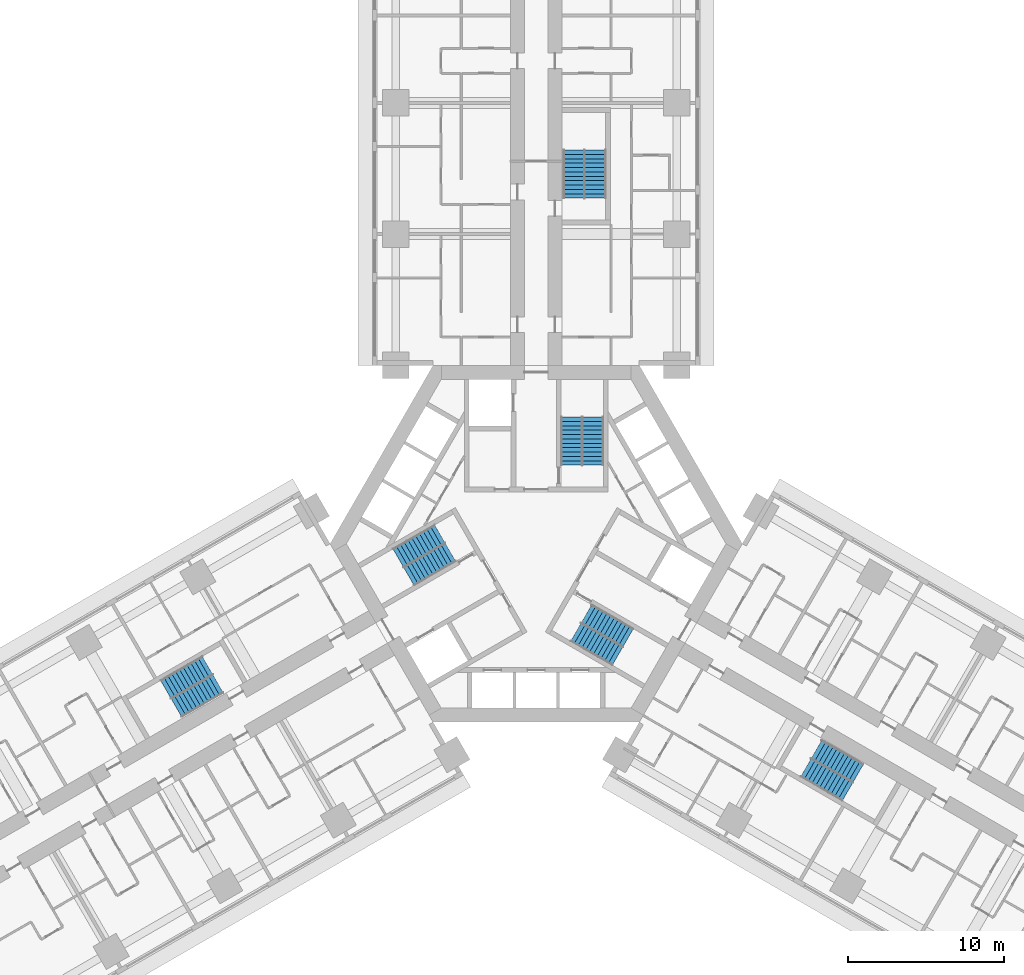
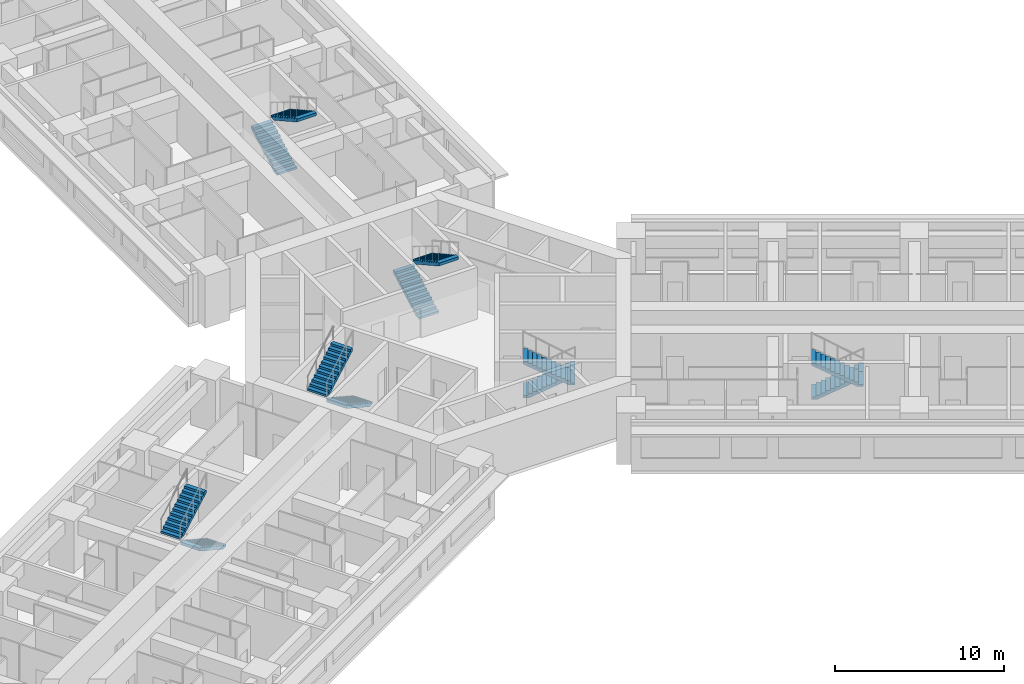
# One storey, part 15 of 16: 12 stair flights, 6 elements without a shape of their own.
"""IFC4 building model written with IfcOpenShell, lengths in metres."""

from ifc_helpers import new_model, si_unit, direction, frame, origin, place, context, subcontext, project, spatial, polyline, outline, extrude, material, type_object, element, aggregate, save


model = new_model("IFC4")

# Units and contexts
model_context = context("Model", 3, precision=1e-05, world=origin(), true_north=direction((0.0, 1.0)))
body_context = subcontext(model_context, "Body", "Model", "MODEL_VIEW")
ifc_project = project(units=[si_unit("LENGTHUNIT", "METRE"), si_unit("AREAUNIT", "SQUARE_METRE"), si_unit("VOLUMEUNIT", "CUBIC_METRE"), si_unit("PLANEANGLEUNIT", "RADIAN"), si_unit("MASSUNIT", "GRAM", prefix="KILO")], contexts=[model_context])

# Site, building, storey
site_placement = place(None, origin())
site = spatial("IfcSite", under=ifc_project, at=site_placement, CompositionType="ELEMENT")
building_placement = place(site_placement, origin())
building = spatial("IfcBuilding", under=site, at=building_placement, Name="Impinga Residences", CompositionType="ELEMENT")
storey_placement = place(building_placement, frame((0.0, 0.0, 44.75)))
storey = spatial("IfcBuildingStorey", under=building, at=storey_placement, Name="L10", CompositionType="ELEMENT", Elevation=44.75)

# Stair, stair flights
ifc_material = material(Name="Concrete C40/50", Category="concrete")
stair_type_1 = type_object("IfcStairType", Name="STR core stair 3750 storey, 24 risers", PredefinedType="HALF_TURN_STAIR", material=ifc_material)
stair_1_placement = place(storey_placement, origin())
stair_1 = element("IfcStair", 1, at=stair_1_placement, inside=storey, type_object=stair_type_1, Name="Stair ST1 L10", PredefinedType="HALF_TURN_STAIR")
stair_flight_type = type_object("IfcStairFlightType", Name="SF 12 risers of 156", PredefinedType="STRAIGHT", material=ifc_material)
stair_flight_1_placement = place(storey_placement, frame((2.27490234375, 5.030029296875, 0.0), z_axis=(0.0, 0.0, 1.0), x_axis=(0.0, 1.0, 0.0)))
stair_flight_1 = element("IfcStairFlight", 2, at=stair_flight_1_placement, type_object=stair_flight_type, Name="ST1 flight 1", NumberOfRisers=12, NumberOfTreads=11, PredefinedType="STRAIGHT", RiserHeight=0.15625, TreadLength=0.28, context=body_context, shape_type="SweptSolid", body=[
    extrude(outline(polyline([(0.0, 0.0), (0.0, 0.15625), (0.280029296875, 0.15625), (0.280029296875, 0.3125), (0.56005859375, 0.3125), (0.56005859375, 0.46875), (0.840087890625, 0.46875), (0.840087890625, 0.625), (1.1201171875, 0.625), (1.1201171875, 0.78125), (1.39990234375, 0.78125), (1.39990234375, 0.9375), (1.679931640625, 0.9375), (1.679931640625, 1.09375), (1.9599609375, 1.09375), (1.9599609375, 1.25), (2.239990234375, 1.25), (2.239990234375, 1.40625), (2.52001953125, 1.40625), (2.52001953125, 1.5625), (2.800048828125, 1.5625), (2.800048828125, 1.71875), (3.080078125, 1.71875), (3.080078125, 1.875), (3.080078125, 1.5126953125), (0.369140625, 0.0), (0.0, 0.0)])), frame((0.0, 0.675048828125, 0.0), z_axis=(0.0, -1.0, 0.0), x_axis=(1.0, 0.0, 0.0)), (0.0, 0.0, 1.0), 1.35009765625),
])
stair_flight_2_placement = place(storey_placement, frame((3.625, 8.110107421875, 1.875), z_axis=(0.0, 0.0, 1.0), x_axis=(0.0, -1.0, 0.0)))
stair_flight_2 = element("IfcStairFlight", 3, at=stair_flight_2_placement, type_object=stair_flight_type, Name="ST1 flight 2", NumberOfRisers=12, NumberOfTreads=11, PredefinedType="STRAIGHT", RiserHeight=0.15625, TreadLength=0.28, context=body_context, shape_type="SweptSolid", body=[
    extrude(outline(polyline([(0.0, 0.0), (0.0, 0.15625), (0.280029296875, 0.15625), (0.280029296875, 0.3125), (0.56005859375, 0.3125), (0.56005859375, 0.46875), (0.840087890625, 0.46875), (0.840087890625, 0.625), (1.1201171875, 0.625), (1.1201171875, 0.78125), (1.39990234375, 0.78125), (1.39990234375, 0.9375), (1.679931640625, 0.9375), (1.679931640625, 1.09375), (1.9599609375, 1.09375), (1.9599609375, 1.25), (2.239990234375, 1.25), (2.239990234375, 1.40625), (2.52001953125, 1.40625), (2.52001953125, 1.5625), (2.800048828125, 1.5625), (2.800048828125, 1.71875), (3.080078125, 1.71875), (3.080078125, 1.875), (3.080078125, 1.5126953125), (0.369140625, 0.0), (0.0, 0.0)])), frame((0.0, 0.675048828125, 0.0), z_axis=(0.0, -1.0, 0.0), x_axis=(1.0, 0.0, 0.0)), (0.0, 0.0, 1.0), 1.35009765625),
])
aggregate(stair_1, [stair_flight_1, stair_flight_2])

stair_2_placement = place(storey_placement, origin())
stair_2 = element("IfcStair", 4, at=stair_2_placement, inside=storey, type_object=stair_type_1, Name="Stair ST2 L10", PredefinedType="HALF_TURN_STAIR")
stair_flight_3_placement = place(storey_placement, frame((-5.49365234375, -0.544677734375, 0.0), z_axis=(0.0, 0.0, 1.0), x_axis=(-0.866025403784, -0.5, 0.0)))
stair_flight_3 = element("IfcStairFlight", 5, at=stair_flight_3_placement, type_object=stair_flight_type, Name="ST2 flight 1", NumberOfRisers=12, NumberOfTreads=11, PredefinedType="STRAIGHT", RiserHeight=0.15625, TreadLength=0.28, context=body_context, shape_type="SweptSolid", body=[
    extrude(outline(polyline([(0.0, 0.0), (0.0, 0.15625), (0.280029296875, 0.15625), (0.280029296875, 0.3125), (0.56005859375, 0.3125), (0.56005859375, 0.46875), (0.840087890625, 0.46875), (0.840087890625, 0.625), (1.1201171875, 0.625), (1.1201171875, 0.78125), (1.39990234375, 0.78125), (1.39990234375, 0.9375), (1.679931640625, 0.9375), (1.679931640625, 1.09375), (1.9599609375, 1.09375), (1.9599609375, 1.25), (2.239990234375, 1.25), (2.239990234375, 1.40625), (2.52001953125, 1.40625), (2.52001953125, 1.5625), (2.800048828125, 1.5625), (2.800048828125, 1.71875), (3.080078125, 1.71875), (3.080078125, 1.875), (3.080078125, 1.5126953125), (0.369140625, 0.0), (0.0, 0.0)])), frame((0.0, 0.675048828125, 0.0), z_axis=(0.0, -1.0, 0.0), x_axis=(1.0, 0.0, 0.0)), (0.0, 0.0, 1.0), 1.35009765625),
])
stair_flight_4_placement = place(storey_placement, frame((-8.8359375, -0.915771484375, 1.875), z_axis=(0.0, 0.0, 1.0), x_axis=(0.866025403784, 0.5, 0.0)))
stair_flight_4 = element("IfcStairFlight", 6, at=stair_flight_4_placement, type_object=stair_flight_type, Name="ST2 flight 2", NumberOfRisers=12, NumberOfTreads=11, PredefinedType="STRAIGHT", RiserHeight=0.15625, TreadLength=0.28, context=body_context, shape_type="SweptSolid", body=[
    extrude(outline(polyline([(0.0, 0.0), (0.0, 0.15625), (0.280029296875, 0.15625), (0.280029296875, 0.3125), (0.56005859375, 0.3125), (0.56005859375, 0.46875), (0.840087890625, 0.46875), (0.840087890625, 0.625), (1.1201171875, 0.625), (1.1201171875, 0.78125), (1.39990234375, 0.78125), (1.39990234375, 0.9375), (1.679931640625, 0.9375), (1.679931640625, 1.09375), (1.9599609375, 1.09375), (1.9599609375, 1.25), (2.239990234375, 1.25), (2.239990234375, 1.40625), (2.52001953125, 1.40625), (2.52001953125, 1.5625), (2.800048828125, 1.5625), (2.800048828125, 1.71875), (3.080078125, 1.71875), (3.080078125, 1.875), (3.080078125, 1.5126953125), (0.369140625, 0.0), (0.0, 0.0)])), frame((0.0, 0.675048828125, 0.0), z_axis=(0.0, -1.0, 0.0), x_axis=(1.0, 0.0, 0.0)), (0.0, 0.0, 1.0), 1.35009765625),
])
aggregate(stair_2, [stair_flight_3, stair_flight_4])

stair_3_placement = place(storey_placement, origin())
stair_3 = element("IfcStair", 7, at=stair_3_placement, inside=storey, type_object=stair_type_1, Name="Stair ST3 L10", PredefinedType="HALF_TURN_STAIR")
stair_flight_5_placement = place(storey_placement, frame((3.218505859375, -4.485107421875, 0.0), z_axis=(0.0, 0.0, 1.0), x_axis=(0.866025403784, -0.5, 0.0)))
stair_flight_5 = element("IfcStairFlight", 8, at=stair_flight_5_placement, type_object=stair_flight_type, Name="ST3 flight 1", NumberOfRisers=12, NumberOfTreads=11, PredefinedType="STRAIGHT", RiserHeight=0.15625, TreadLength=0.28, context=body_context, shape_type="SweptSolid", body=[
    extrude(outline(polyline([(0.0, 0.0), (0.0, 0.15625), (0.280029296875, 0.15625), (0.280029296875, 0.3125), (0.56005859375, 0.3125), (0.56005859375, 0.46875), (0.840087890625, 0.46875), (0.840087890625, 0.625), (1.1201171875, 0.625), (1.1201171875, 0.78125), (1.39990234375, 0.78125), (1.39990234375, 0.9375), (1.679931640625, 0.9375), (1.679931640625, 1.09375), (1.9599609375, 1.09375), (1.9599609375, 1.25), (2.239990234375, 1.25), (2.239990234375, 1.40625), (2.52001953125, 1.40625), (2.52001953125, 1.5625), (2.800048828125, 1.5625), (2.800048828125, 1.71875), (3.080078125, 1.71875), (3.080078125, 1.875), (3.080078125, 1.5126953125), (0.369140625, 0.0), (0.0, 0.0)])), frame((0.0, 0.675048828125, 0.0), z_axis=(0.0, -1.0, 0.0), x_axis=(1.0, 0.0, 0.0)), (0.0, 0.0, 1.0), 1.35009765625),
])
stair_flight_6_placement = place(storey_placement, frame((5.2109375, -7.1943359375, 1.875), z_axis=(0.0, 0.0, 1.0), x_axis=(-0.866025403784, 0.5, 0.0)))
stair_flight_6 = element("IfcStairFlight", 9, at=stair_flight_6_placement, type_object=stair_flight_type, Name="ST3 flight 2", NumberOfRisers=12, NumberOfTreads=11, PredefinedType="STRAIGHT", RiserHeight=0.15625, TreadLength=0.28, context=body_context, shape_type="SweptSolid", body=[
    extrude(outline(polyline([(0.0, 0.0), (0.0, 0.15625), (0.280029296875, 0.15625), (0.280029296875, 0.3125), (0.56005859375, 0.3125), (0.56005859375, 0.46875), (0.840087890625, 0.46875), (0.840087890625, 0.625), (1.1201171875, 0.625), (1.1201171875, 0.78125), (1.39990234375, 0.78125), (1.39990234375, 0.9375), (1.679931640625, 0.9375), (1.679931640625, 1.09375), (1.9599609375, 1.09375), (1.9599609375, 1.25), (2.239990234375, 1.25), (2.239990234375, 1.40625), (2.52001953125, 1.40625), (2.52001953125, 1.5625), (2.800048828125, 1.5625), (2.800048828125, 1.71875), (3.080078125, 1.71875), (3.080078125, 1.875), (3.080078125, 1.5126953125), (0.369140625, 0.0), (0.0, 0.0)])), frame((0.0, 0.675048828125, 0.0), z_axis=(0.0, -1.0, 0.0), x_axis=(1.0, 0.0, 0.0)), (0.0, 0.0, 1.0), 1.35009765625),
])
aggregate(stair_3, [stair_flight_5, stair_flight_6])

stair_type_2 = type_object("IfcStairType", Name="STR wing stair 3750 storey, 24 risers", PredefinedType="HALF_TURN_STAIR", material=ifc_material)
stair_4_placement = place(storey_placement, origin())
stair_4 = element("IfcStair", 10, at=stair_4_placement, inside=storey, type_object=stair_type_2, Name="Stair WS1 L10", PredefinedType="HALF_TURN_STAIR")
stair_flight_7_placement = place(storey_placement, frame((2.425048828125, 22.131591796875, 0.0), z_axis=(0.0, 0.0, 1.0), x_axis=(0.0, 1.0, 0.0)))
stair_flight_7 = element("IfcStairFlight", 11, at=stair_flight_7_placement, type_object=stair_flight_type, Name="WS1 flight 1", NumberOfRisers=12, NumberOfTreads=11, PredefinedType="STRAIGHT", RiserHeight=0.15625, TreadLength=0.28, context=body_context, shape_type="SweptSolid", body=[
    extrude(outline(polyline([(0.0, 0.0), (0.0, 0.15625), (0.280029296875, 0.15625), (0.280029296875, 0.3125), (0.56005859375, 0.3125), (0.56005859375, 0.46875), (0.840087890625, 0.46875), (0.840087890625, 0.625), (1.1201171875, 0.625), (1.1201171875, 0.78125), (1.39990234375, 0.78125), (1.39990234375, 0.9375), (1.679931640625, 0.9375), (1.679931640625, 1.09375), (1.9599609375, 1.09375), (1.9599609375, 1.25), (2.239990234375, 1.25), (2.239990234375, 1.40625), (2.52001953125, 1.40625), (2.52001953125, 1.5625), (2.800048828125, 1.5625), (2.800048828125, 1.71875), (3.080078125, 1.71875), (3.080078125, 1.875), (3.080078125, 1.5126953125), (0.369140625, 0.0), (0.0, 0.0)])), frame((0.0, 0.675048828125, 0.0), z_axis=(0.0, -1.0, 0.0), x_axis=(1.0, 0.0, 0.0)), (0.0, 0.0, 1.0), 1.35009765625),
])
stair_flight_8_placement = place(storey_placement, frame((3.77490234375, 25.21142578125, 1.875), z_axis=(0.0, 0.0, 1.0), x_axis=(0.0, -1.0, 0.0)))
stair_flight_8 = element("IfcStairFlight", 12, at=stair_flight_8_placement, type_object=stair_flight_type, Name="WS1 flight 2", NumberOfRisers=12, NumberOfTreads=11, PredefinedType="STRAIGHT", RiserHeight=0.15625, TreadLength=0.28, context=body_context, shape_type="SweptSolid", body=[
    extrude(outline(polyline([(0.0, 0.0), (0.0, 0.15625), (0.280029296875, 0.15625), (0.280029296875, 0.3125), (0.56005859375, 0.3125), (0.56005859375, 0.46875), (0.840087890625, 0.46875), (0.840087890625, 0.625), (1.1201171875, 0.625), (1.1201171875, 0.78125), (1.39990234375, 0.78125), (1.39990234375, 0.9375), (1.679931640625, 0.9375), (1.679931640625, 1.09375), (1.9599609375, 1.09375), (1.9599609375, 1.25), (2.239990234375, 1.25), (2.239990234375, 1.40625), (2.52001953125, 1.40625), (2.52001953125, 1.5625), (2.800048828125, 1.5625), (2.800048828125, 1.71875), (3.080078125, 1.71875), (3.080078125, 1.875), (3.080078125, 1.5126953125), (0.369140625, 0.0), (0.0, 0.0)])), frame((0.0, 0.675048828125, 0.0), z_axis=(0.0, -1.0, 0.0), x_axis=(1.0, 0.0, 0.0)), (0.0, 0.0, 1.0), 1.35009765625),
])
aggregate(stair_4, [stair_flight_7, stair_flight_8])

stair_5_placement = place(storey_placement, origin())
stair_5 = element("IfcStair", 13, at=stair_5_placement, inside=storey, type_object=stair_type_2, Name="Stair WS2 L10", PredefinedType="HALF_TURN_STAIR")
stair_flight_9_placement = place(storey_placement, frame((-20.37890625, -8.965576171875, 0.0), z_axis=(0.0, 0.0, 1.0), x_axis=(-0.866025403784, -0.5, 0.0)))
stair_flight_9 = element("IfcStairFlight", 14, at=stair_flight_9_placement, type_object=stair_flight_type, Name="WS2 flight 1", NumberOfRisers=12, NumberOfTreads=11, PredefinedType="STRAIGHT", RiserHeight=0.15625, TreadLength=0.28, context=body_context, shape_type="SweptSolid", body=[
    extrude(outline(polyline([(0.0, 0.0), (0.0, 0.15625), (0.280029296875, 0.15625), (0.280029296875, 0.3125), (0.56005859375, 0.3125), (0.56005859375, 0.46875), (0.840087890625, 0.46875), (0.840087890625, 0.625), (1.1201171875, 0.625), (1.1201171875, 0.78125), (1.39990234375, 0.78125), (1.39990234375, 0.9375), (1.679931640625, 0.9375), (1.679931640625, 1.09375), (1.9599609375, 1.09375), (1.9599609375, 1.25), (2.239990234375, 1.25), (2.239990234375, 1.40625), (2.52001953125, 1.40625), (2.52001953125, 1.5625), (2.800048828125, 1.5625), (2.800048828125, 1.71875), (3.080078125, 1.71875), (3.080078125, 1.875), (3.080078125, 1.5126953125), (0.369140625, 0.0), (0.0, 0.0)])), frame((0.0, 0.675048828125, 0.0), z_axis=(0.0, -1.0, 0.0), x_axis=(1.0, 0.0, 0.0)), (0.0, 0.0, 1.0), 1.35009765625),
])
stair_flight_10_placement = place(storey_placement, frame((-23.721435546875, -9.33642578125, 1.875), z_axis=(0.0, 0.0, 1.0), x_axis=(0.866025403784, 0.5, 0.0)))
stair_flight_10 = element("IfcStairFlight", 15, at=stair_flight_10_placement, type_object=stair_flight_type, Name="WS2 flight 2", NumberOfRisers=12, NumberOfTreads=11, PredefinedType="STRAIGHT", RiserHeight=0.15625, TreadLength=0.28, context=body_context, shape_type="SweptSolid", body=[
    extrude(outline(polyline([(0.0, 0.0), (0.0, 0.15625), (0.280029296875, 0.15625), (0.280029296875, 0.3125), (0.56005859375, 0.3125), (0.56005859375, 0.46875), (0.840087890625, 0.46875), (0.840087890625, 0.625), (1.1201171875, 0.625), (1.1201171875, 0.78125), (1.39990234375, 0.78125), (1.39990234375, 0.9375), (1.679931640625, 0.9375), (1.679931640625, 1.09375), (1.9599609375, 1.09375), (1.9599609375, 1.25), (2.239990234375, 1.25), (2.239990234375, 1.40625), (2.52001953125, 1.40625), (2.52001953125, 1.5625), (2.800048828125, 1.5625), (2.800048828125, 1.71875), (3.080078125, 1.71875), (3.080078125, 1.875), (3.080078125, 1.5126953125), (0.369140625, 0.0), (0.0, 0.0)])), frame((0.0, 0.675048828125, 0.0), z_axis=(0.0, -1.0, 0.0), x_axis=(1.0, 0.0, 0.0)), (0.0, 0.0, 1.0), 1.35009765625),
])
aggregate(stair_5, [stair_flight_9, stair_flight_10])

stair_6_placement = place(storey_placement, origin())
stair_6 = element("IfcStair", 16, at=stair_6_placement, inside=storey, type_object=stair_type_2, Name="Stair WS3 L10", PredefinedType="HALF_TURN_STAIR")
stair_flight_11_placement = place(storey_placement, frame((17.953857421875, -13.165771484375, 0.0), z_axis=(0.0, 0.0, 1.0), x_axis=(0.866025403784, -0.5, 0.0)))
stair_flight_11 = element("IfcStairFlight", 17, at=stair_flight_11_placement, type_object=stair_flight_type, Name="WS3 flight 1", NumberOfRisers=12, NumberOfTreads=11, PredefinedType="STRAIGHT", RiserHeight=0.15625, TreadLength=0.28, context=body_context, shape_type="SweptSolid", body=[
    extrude(outline(polyline([(0.0, 0.0), (0.0, 0.15625), (0.280029296875, 0.15625), (0.280029296875, 0.3125), (0.56005859375, 0.3125), (0.56005859375, 0.46875), (0.840087890625, 0.46875), (0.840087890625, 0.625), (1.1201171875, 0.625), (1.1201171875, 0.78125), (1.39990234375, 0.78125), (1.39990234375, 0.9375), (1.679931640625, 0.9375), (1.679931640625, 1.09375), (1.9599609375, 1.09375), (1.9599609375, 1.25), (2.239990234375, 1.25), (2.239990234375, 1.40625), (2.52001953125, 1.40625), (2.52001953125, 1.5625), (2.800048828125, 1.5625), (2.800048828125, 1.71875), (3.080078125, 1.71875), (3.080078125, 1.875), (3.080078125, 1.5126953125), (0.369140625, 0.0), (0.0, 0.0)])), frame((0.0, 0.675048828125, 0.0), z_axis=(0.0, -1.0, 0.0), x_axis=(1.0, 0.0, 0.0)), (0.0, 0.0, 1.0), 1.35009765625),
])
stair_flight_12_placement = place(storey_placement, frame((19.9462890625, -15.875, 1.875), z_axis=(0.0, 0.0, 1.0), x_axis=(-0.866025403784, 0.5, 0.0)))
stair_flight_12 = element("IfcStairFlight", 18, at=stair_flight_12_placement, type_object=stair_flight_type, Name="WS3 flight 2", NumberOfRisers=12, NumberOfTreads=11, PredefinedType="STRAIGHT", RiserHeight=0.15625, TreadLength=0.28, context=body_context, shape_type="SweptSolid", body=[
    extrude(outline(polyline([(0.0, 0.0), (0.0, 0.15625), (0.280029296875, 0.15625), (0.280029296875, 0.3125), (0.56005859375, 0.3125), (0.56005859375, 0.46875), (0.840087890625, 0.46875), (0.840087890625, 0.625), (1.1201171875, 0.625), (1.1201171875, 0.78125), (1.39990234375, 0.78125), (1.39990234375, 0.9375), (1.679931640625, 0.9375), (1.679931640625, 1.09375), (1.9599609375, 1.09375), (1.9599609375, 1.25), (2.239990234375, 1.25), (2.239990234375, 1.40625), (2.52001953125, 1.40625), (2.52001953125, 1.5625), (2.800048828125, 1.5625), (2.800048828125, 1.71875), (3.080078125, 1.71875), (3.080078125, 1.875), (3.080078125, 1.5126953125), (0.369140625, 0.0), (0.0, 0.0)])), frame((0.0, 0.675048828125, 0.0), z_axis=(0.0, -1.0, 0.0), x_axis=(1.0, 0.0, 0.0)), (0.0, 0.0, 1.0), 1.35009765625),
])
aggregate(stair_6, [stair_flight_11, stair_flight_12])

save(model, "model.ifc")
